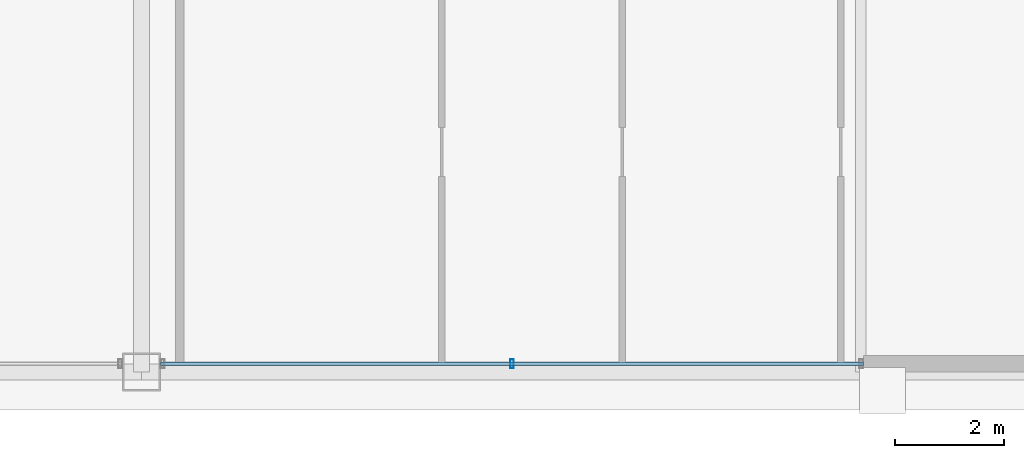
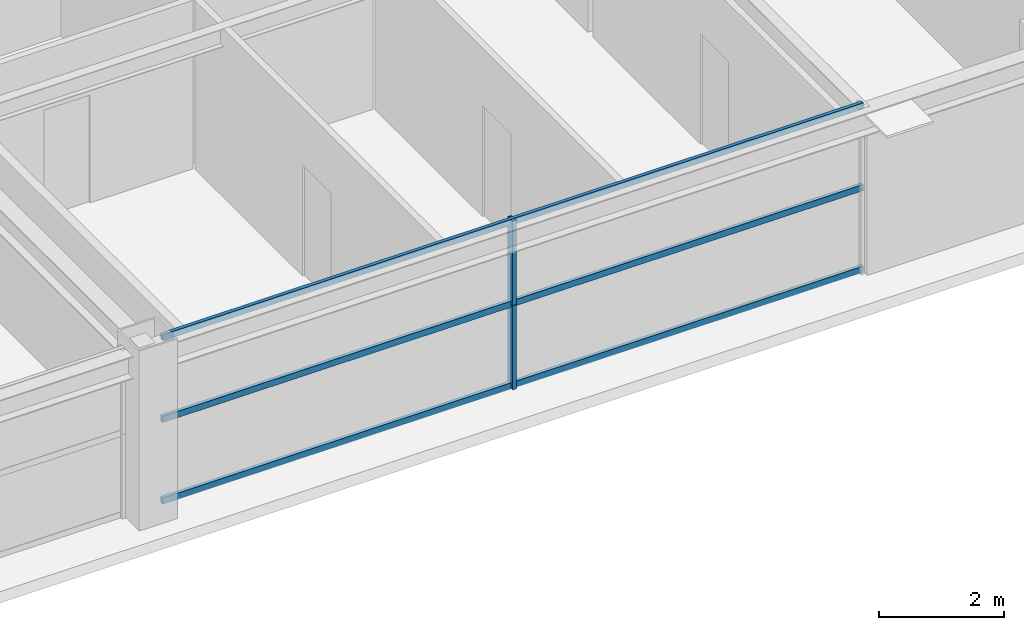
# One storey, part 11 of 36: 5 members, 1 element without a shape of its own.
"""IFC4 building model written with IfcOpenShell, lengths in metres."""

from ifc_helpers import new_model, si_unit, direction, frame, origin, origin_2d, place, context, subcontext, project, spatial, hollow_rectangle, extrude, source, transform, mapped, material, layer, layer_set, material_profile, profile_set, type_object, element, aggregate, save


model = new_model("IFC4")

# Units and contexts
model_context = context("Model", 3, precision=1e-05, world=origin(), true_north=direction((0.0, 1.0)))
body_context = subcontext(model_context, "Body", "Model", "MODEL_VIEW")
ifc_project = project(units=[si_unit("LENGTHUNIT", "METRE"), si_unit("AREAUNIT", "SQUARE_METRE"), si_unit("VOLUMEUNIT", "CUBIC_METRE"), si_unit("PLANEANGLEUNIT", "RADIAN"), si_unit("MASSUNIT", "GRAM", prefix="KILO"), si_unit("THERMODYNAMICTEMPERATUREUNIT", "KELVIN"), si_unit("POWERUNIT", "WATT")], contexts=[model_context])

# Site, building, storey
site_placement = place(None, origin())
site = spatial("IfcSite", under=ifc_project, at=site_placement, CompositionType="ELEMENT")
building_placement = place(site_placement, origin())
building = spatial("IfcBuilding", under=site, at=building_placement, Name="Yuzanri Waterfront Tower", CompositionType="ELEMENT")
storey_placement = place(building_placement, frame((0.0, 0.0, 224.10009765625)))
storey = spatial("IfcBuildingStorey", under=building, at=storey_placement, Name="L59", CompositionType="ELEMENT", Elevation=224.10009765625)

# Curtain wall, members
ifc_material_1 = material(Name="Anodized Architectural Bronze", Category="metal")
ifc_layer = layer(ifc_material_1, 0.159912109375)
ifc_layer_set = layer_set([ifc_layer], Name="Anodized Architectural Bronze")
curtain_wall_type = type_object("IfcCurtainWallType", Name="Anodized Bronze Mid-Rise Residential Acoustic Unitized Curtain Wall 7200", PredefinedType="NOTDEFINED", material=ifc_layer_set)
curtain_wall_placement = place(storey_placement, origin())
curtain_wall = element("IfcCurtainWall", 1, at=curtain_wall_placement, inside=storey, type_object=curtain_wall_type, Name="L59 Curtain Wall CW-L59-SR", PredefinedType="NOTDEFINED")
ifc_material_2 = material(Name="Anodized Architectural Bronze", Category="metal")
ifc_material_profile_1 = material_profile(ifc_material_2, hollow_rectangle(XDim=0.06494140625, YDim=0.159912109375, WallThickness=0.00341796875, at=origin_2d()), Name="CWM 65x160")
ifc_profile_set_1 = profile_set([ifc_material_profile_1], Name="Anodized Architectural Bronze")
member_type_1 = type_object("IfcMemberType", Name="Anodized Bronze Upper-Zone Curtain-Wall Mullion 65x160", PredefinedType="MULLION", material=ifc_profile_set_1)
shared_shape_1 = source(origin(), body_context, "Body", "SweptSolid", [
    extrude(hollow_rectangle(XDim=0.06494140625, YDim=0.159912109375, WallThickness=0.00341796875, at=origin_2d()), origin(), (0.0, 0.0, 1.0), 1.637939453125),
])
member_1_placement = place(storey_placement, frame((43.800048828125, 5.35009765625, 0.0), z_axis=(0.0, 0.0, 1.0), x_axis=(1.0, 0.0, 0.0)))
member_1 = element("IfcMember", 2, at=member_1_placement, type_object=member_type_1, Name="CW-L59-SR Lower Mullion 01", PredefinedType="MULLION", context=body_context, shape_type="MappedRepresentation", body=[
    mapped(shared_shape_1, transform((0.0, 0.0, 0.0), scale=1.0)),
])
member_2_placement = place(storey_placement, frame((43.800048828125, 5.35009765625, 1.641845703125), z_axis=(0.0, 0.0, 1.0), x_axis=(1.0, 0.0, 0.0)))
member_2 = element("IfcMember", 3, at=member_2_placement, type_object=member_type_1, Name="CW-L59-SR Upper Mullion 01", PredefinedType="MULLION", context=body_context, shape_type="MappedRepresentation", body=[
    mapped(shared_shape_1, transform((0.0, 0.0, 0.0), scale=1.0)),
])
ifc_material_3 = material(Name="Anodized Architectural Bronze", Category="metal")
ifc_material_profile_2 = material_profile(ifc_material_3, hollow_rectangle(XDim=0.06494140625, YDim=0.1201171875, WallThickness=0.00341796875, at=origin_2d()), Name="CWT 65x120")
ifc_profile_set_2 = profile_set([ifc_material_profile_2], Name="Anodized Architectural Bronze")
member_type_2 = type_object("IfcMemberType", Name="Anodized Bronze Secondary Curtain-Wall Transom 65x120", PredefinedType="USERDEFINED", material=ifc_profile_set_2)
shared_shape_2 = source(origin(), body_context, "Body", "SweptSolid", [
    extrude(hollow_rectangle(XDim=0.06494140625, YDim=0.1201171875, WallThickness=0.00341796875, at=origin_2d()), origin(), (0.0, 0.0, 1.0), 12.89990234375),
])
member_3_placement = place(storey_placement, frame((37.35009765625, 5.35009765625, 0.0498046875), z_axis=(1.0, 0.0, 0.0), x_axis=(0.0, 1.0, 0.0)))
member_3 = element("IfcMember", 4, at=member_3_placement, type_object=member_type_2, Name="CW-L59-SR Transom 1", ObjectType="TRANSOM", PredefinedType="USERDEFINED", context=body_context, shape_type="MappedRepresentation", body=[
    mapped(shared_shape_2, transform((0.0, 0.0, 0.0), scale=1.0)),
])
member_4_placement = place(storey_placement, frame((37.35009765625, 5.35009765625, 1.639892578125), z_axis=(1.0, 0.0, 0.0), x_axis=(0.0, 1.0, 0.0)))
member_4 = element("IfcMember", 5, at=member_4_placement, type_object=member_type_2, Name="CW-L59-SR Transom 2", ObjectType="TRANSOM", PredefinedType="USERDEFINED", context=body_context, shape_type="MappedRepresentation", body=[
    mapped(shared_shape_2, transform((0.0, 0.0, 0.0), scale=1.0)),
])
member_5_placement = place(storey_placement, frame((37.35009765625, 5.35009765625, 3.22998046875), z_axis=(1.0, 0.0, 0.0), x_axis=(0.0, 1.0, 0.0)))
member_5 = element("IfcMember", 6, at=member_5_placement, type_object=member_type_2, Name="CW-L59-SR Transom 3", ObjectType="TRANSOM", PredefinedType="USERDEFINED", context=body_context, shape_type="MappedRepresentation", body=[
    mapped(shared_shape_2, transform((0.0, 0.0, 0.0), scale=1.0)),
])
aggregate(curtain_wall, [member_1, member_2, member_3, member_4, member_5])

save(model, "model.ifc")
